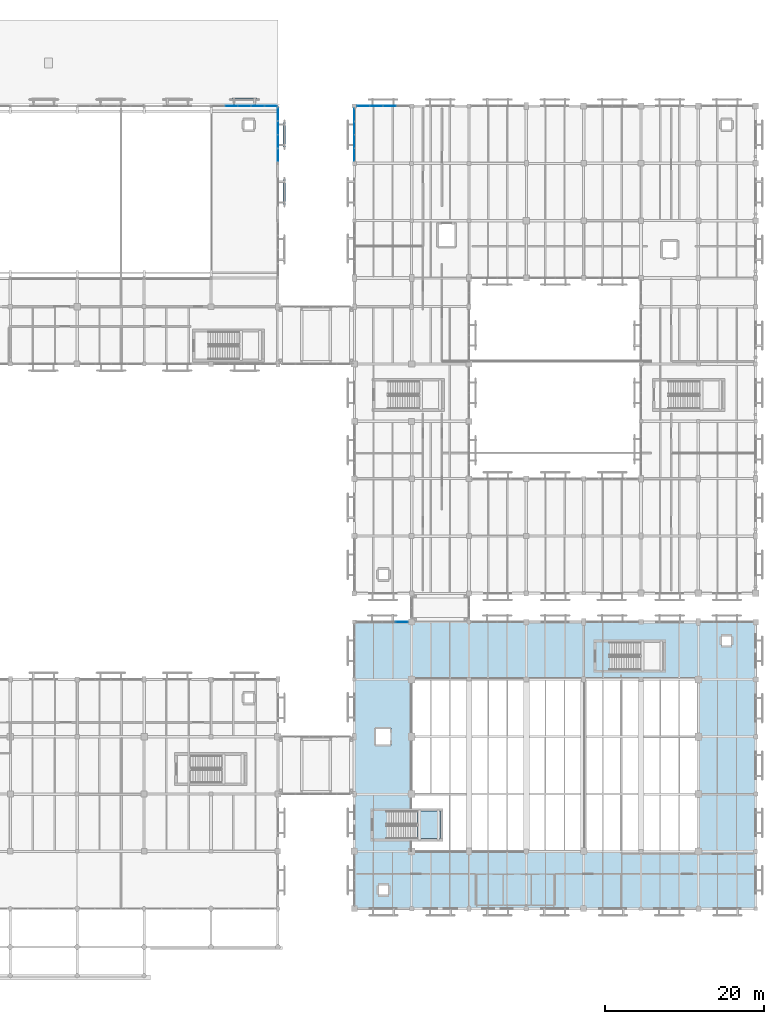
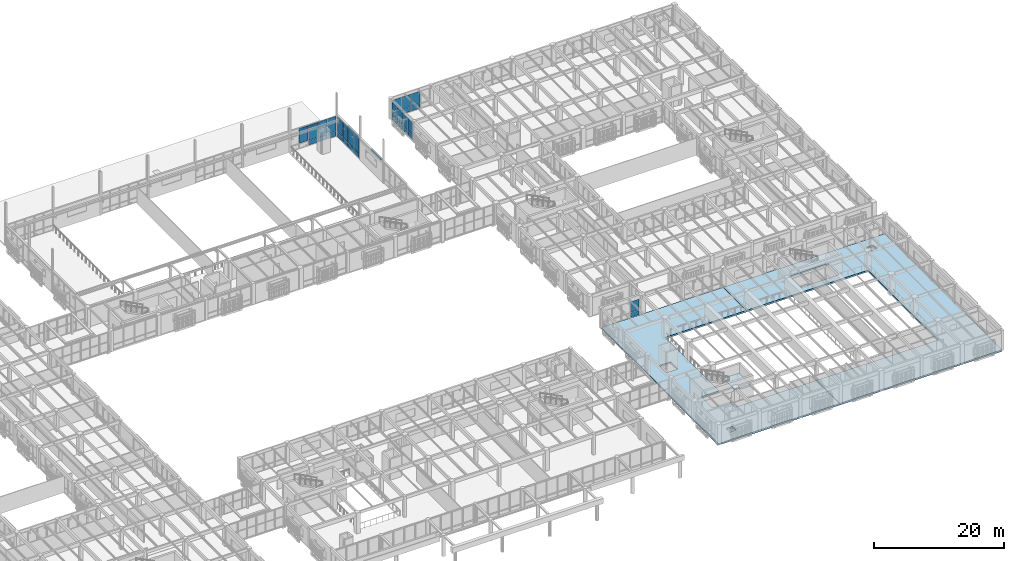
# One storey, part 124 of 170: 34 plates, 3 slabs, 6 elements without a shape of their own.
"""IFC4 building model written with IfcOpenShell, lengths in metres."""

import ifcopenshell
import ifcopenshell.guid

model = None  # the IFC model being written
_history = None  # IfcOwnerHistory: only IFC2X3 demands one
_inside = {}  # id of a spatial element -> (the spatial element, [elements in it])
_under = {}  # id of a project, library or spatial element -> (it, [spatial elements below it])
_declared = {}  # id of a project -> (the project, [libraries it declares])
_typed = {}  # id of a type object -> (the type object, [elements of that type])
_made_of = {}  # id of a material, layer set ... -> (it, [elements and type objects made of it])


def new_model(schema):
    """Start an empty IFC model of exactly this schema.

    Asked for "IFC4X3", IfcOpenShell would pick the latest addendum, in which some entities
    have other attributes; the version numbers below select the first issue.
    IFC2X3 requires an IfcOwnerHistory on every rooted entity: one is made here for all.
    """
    global model, _history
    if schema == "IFC4X3":
        model = ifcopenshell.file(schema_version=(4, 3, 0, 0))
    else:
        model = ifcopenshell.file(schema=schema)
    _inside.clear()
    _under.clear()
    _declared.clear()
    _typed.clear()
    _made_of.clear()
    _history = None
    if model.schema == "IFC2X3":
        org = make("IfcOrganization", Name="unknown")
        user = make(
            "IfcPersonAndOrganization",
            ThePerson=make("IfcPerson", FamilyName="unknown"),
            TheOrganization=org,
        )
        app = make(
            "IfcApplication",
            ApplicationDeveloper=org,
            Version="unknown",
            ApplicationFullName="unknown",
            ApplicationIdentifier="unknown",
        )
        _history = make(
            "IfcOwnerHistory",
            OwningUser=user,
            OwningApplication=app,
            ChangeAction="ADDED",
            CreationDate=0,
        )
    return model


def make(cls, **values):
    """One entity of the class cls with the attributes given. An attribute that is None is left unset."""
    return model.create_entity(
        cls, **{name: value for name, value in values.items() if value is not None}
    )


def rooted(cls, **values):
    """An entity with a GlobalId (a new one), such as an element, a storey or a relation."""
    return make(cls, GlobalId=ifcopenshell.guid.new(), OwnerHistory=_history, **values)


def si_unit(unit_type, name, prefix=None):
    """IfcSIUnit, for example si_unit("LENGTHUNIT", "METRE", prefix="MILLI")."""
    return make("IfcSIUnit", UnitType=unit_type, Prefix=prefix, Name=name)


def assignment(units):
    """IfcUnitAssignment: the units of a project."""
    return None if units is None else make("IfcUnitAssignment", Units=units)


def point(xyz):
    """IfcCartesianPoint."""
    return None if xyz is None else make("IfcCartesianPoint", Coordinates=xyz)


def direction(xyz):
    """IfcDirection."""
    return None if xyz is None else make("IfcDirection", DirectionRatios=xyz)


def frame(location, z_axis=None, x_axis=None):
    """IfcAxis2Placement3D, a coordinate frame: its origin and axes. An axis left out is left unset."""
    return make(
        "IfcAxis2Placement3D",
        Location=point(location),
        Axis=direction(z_axis),
        RefDirection=direction(x_axis),
    )


def frame_2d(location, x_axis=None):
    """IfcAxis2Placement2D, a coordinate frame in the plane: its origin and x axis."""
    return make(
        "IfcAxis2Placement2D", Location=point(location), RefDirection=direction(x_axis)
    )


def origin():
    """The frame at (0, 0, 0) with its axes left unset."""
    return frame((0.0, 0.0, 0.0))


def origin_2d():
    """The frame at (0, 0) in the plane with its x axis left unset."""
    return frame_2d((0.0, 0.0))


def place(relative_to, where):
    """IfcLocalPlacement: puts the frame where relative to a parent placement (None: the world)."""
    return make(
        "IfcLocalPlacement", PlacementRelTo=relative_to, RelativePlacement=where
    )


def context(
    kind, dimensions, precision=None, world=None, true_north=None, identifier=None
):
    """IfcGeometricRepresentationContext, for example the 3D "Model" context."""
    return make(
        "IfcGeometricRepresentationContext",
        ContextIdentifier=identifier,
        ContextType=kind,
        CoordinateSpaceDimension=dimensions,
        Precision=precision,
        WorldCoordinateSystem=world,
        TrueNorth=true_north,
    )


def subcontext(parent, identifier, kind, view, scale=None):
    """IfcGeometricRepresentationSubContext, for example "Body" below "Model"."""
    return make(
        "IfcGeometricRepresentationSubContext",
        ContextIdentifier=identifier,
        ContextType=kind,
        ParentContext=parent,
        TargetScale=scale,
        TargetView=view,
    )


def project(units=None, contexts=None):
    """IfcProject with its units and contexts."""
    return rooted(
        "IfcProject",
        Name="project",
        RepresentationContexts=contexts,
        UnitsInContext=assignment(units),
    )


def spatial(cls, under=None, at=None, **own):
    """A site, building, storey or space (cls), placed at a placement, below another one or the project."""
    s = rooted(cls, ObjectPlacement=at, **own)
    if under is not None:
        _under.setdefault(under.id(), (under, []))[1].append(s)
    return s


def polyline(points):
    """IfcPolyline through the points."""
    return make("IfcPolyline", Points=[point(p) for p in points])


def profile(cls, at=None, kind="AREA", **sizes):
    """A parametric profile (cls). Its sizes go by their IFC names, for example OverallWidth=200.0."""
    return make(cls, ProfileType=kind, Position=at, **sizes)


def rectangle(**sizes):
    """IfcRectangleProfileDef."""
    return profile("IfcRectangleProfileDef", **sizes)


def outline(outer, holes=None, kind="AREA"):
    """IfcArbitraryClosedProfileDef: a profile drawn as a closed curve; with holes, ...WithVoids."""
    if holes is None:
        return make("IfcArbitraryClosedProfileDef", ProfileType=kind, OuterCurve=outer)
    return make(
        "IfcArbitraryProfileDefWithVoids",
        ProfileType=kind,
        OuterCurve=outer,
        InnerCurves=holes,
    )


def extrude(swept, where, along, depth):
    """IfcExtrudedAreaSolid: the profile swept, set in the frame where, extruded along a direction by depth."""
    return make(
        "IfcExtrudedAreaSolid",
        SweptArea=swept,
        Position=where,
        ExtrudedDirection=direction(along),
        Depth=depth,
    )


def shape(context_of_items, identifier, shape_type, items):
    """IfcShapeRepresentation: the items that make up one representation, for example the "Body"."""
    return make(
        "IfcShapeRepresentation",
        ContextOfItems=context_of_items,
        RepresentationIdentifier=identifier,
        RepresentationType=shape_type,
        Items=items,
    )


def material(Name=None, Category=None):
    """IfcMaterial."""
    return make("IfcMaterial", Name=Name, Category=Category)


def layer(
    of_material, thickness, ventilated=None, Name=None, Category=None, Priority=None
):
    """IfcMaterialLayer: one layer of a wall or slab, of a material (None: an air gap)."""
    return make(
        "IfcMaterialLayer",
        Material=of_material,
        LayerThickness=thickness,
        IsVentilated=ventilated,
        Name=Name,
        Category=Category,
        Priority=Priority,
    )


def layer_set(layers, Name=None):
    """IfcMaterialLayerSet."""
    return make("IfcMaterialLayerSet", MaterialLayers=layers, LayerSetName=Name)


def made_of(thing, what):
    """Note that an element or type object is made of a material, layer set ...; save() writes the relation."""
    if what is not None:
        _made_of.setdefault(what.id(), (what, []))[1].append(thing)
    return thing


def type_object(cls, material=None, **own):
    """A type object (cls), such as IfcWallType, which elements share."""
    return made_of(rooted(cls, **own), material)


def element(
    cls,
    number,
    at=None,
    inside=None,
    cuts=None,
    type_object=None,
    material=None,
    context=None,
    identifier="Body",
    shape_type=None,
    held_by="IfcProductDefinitionShape",
    body=None,
    shapes=None,
    **own,
):
    """One element of the class cls, such as IfcWall. Its Tag is "e" and its number.

    at: its placement. inside: the storey or other place that contains it. cuts: it is an
    opening in that element (IfcRelVoidsElement). A single representation is given by context,
    identifier, shape_type and body (its items); several are given by shapes. held_by: the class
    of the entity that holds the representations. save() writes the other relations.
    """
    e = rooted(cls, Tag="e%d" % number, ObjectPlacement=at, **own)
    if body is not None:
        shapes = [shape(context, identifier, shape_type, body)]
    if shapes is not None:
        e.Representation = make(held_by, Representations=shapes)
    if inside is not None:
        _inside.setdefault(inside.id(), (inside, []))[1].append(e)
    if cuts is not None:
        rooted(
            "IfcRelVoidsElement", RelatingBuildingElement=cuts, RelatedOpeningElement=e
        )
    if type_object is not None:
        _typed.setdefault(type_object.id(), (type_object, []))[1].append(e)
    return made_of(e, material)


def aggregate(whole, parts):
    """IfcRelAggregates: a whole, such as a stair, and the parts it consists of."""
    return rooted("IfcRelAggregates", RelatingObject=whole, RelatedObjects=parts)


def save(model, path):
    """Write the relations noted so far, then the file.

    IfcRelAggregates (storeys below a building ...), IfcRelContainedInSpatialStructure (elements
    in a storey), IfcRelDefinesByType, IfcRelAssociatesMaterial and IfcRelDeclares: one each for
    every whole, place, type object, material and project.
    """
    for whole, parts in _under.values():
        aggregate(whole, parts)
    for where, things in _inside.values():
        rooted(
            "IfcRelContainedInSpatialStructure",
            RelatedElements=things,
            RelatingStructure=where,
        )
    for kind, things in _typed.values():
        rooted("IfcRelDefinesByType", RelatedObjects=things, RelatingType=kind)
    for what, things in _made_of.values():
        rooted("IfcRelAssociatesMaterial", RelatedObjects=things, RelatingMaterial=what)
    for by, libraries in _declared.values():
        rooted("IfcRelDeclares", RelatingContext=by, RelatedDefinitions=libraries)
    model.write(path)


model = new_model("IFC4")

# Units and contexts
model_context = context("Model", 3, precision=1e-05, world=origin(), true_north=direction((0.0, 1.0)))
body_context = subcontext(model_context, "Body", "Model", "MODEL_VIEW")
ifc_project = project(units=[si_unit("LENGTHUNIT", "METRE"), si_unit("AREAUNIT", "SQUARE_METRE"), si_unit("VOLUMEUNIT", "CUBIC_METRE"), si_unit("PLANEANGLEUNIT", "RADIAN"), si_unit("MASSUNIT", "GRAM", prefix="KILO")], contexts=[model_context])

# Site, building, storey
site_placement = place(None, origin())
site = spatial("IfcSite", under=ifc_project, at=site_placement, CompositionType="ELEMENT")
building_placement = place(site_placement, origin())
building = spatial("IfcBuilding", under=site, at=building_placement, Name="Mazaris Harbour Polytechnic", CompositionType="ELEMENT")
storey_placement = place(building_placement, frame((0.0, 0.0, 5.39990234375)))
storey = spatial("IfcBuildingStorey", under=building, at=storey_placement, Name="L01", CompositionType="ELEMENT", Elevation=5.39990234375)

# Curtain wall, plates
ifc_material_1 = material(Name="Anodised Bronze Aluminium and Low-E Glass", Category="aluminium")
ifc_layer_1 = layer(ifc_material_1, 0.14990234375, Name="Anodised Bronze Aluminium and Low-E Glass")
ifc_layer_set_1 = layer_set([ifc_layer_1], Name="Anodised Bronze Aluminium and Low-E Glass")
curtain_wall_type_1 = type_object("IfcCurtainWallType", Name="Workshop Clerestory Curtain Wall", PredefinedType="NOTDEFINED", material=ifc_layer_set_1)
curtain_wall_1_placement = place(storey_placement, origin())
curtain_wall_1 = element("IfcCurtainWall", 1, at=curtain_wall_1_placement, inside=storey, type_object=curtain_wall_type_1, Name="V1 L01 Curtain Wall 20", PredefinedType="NOTDEFINED")
ifc_material_2 = material(Name="Acoustic Low-E Double Glazing", Category="glass")
ifc_layer_2 = layer(ifc_material_2, 0.033935546875, Name="Acoustic Low-E Double Glazing")
ifc_layer_set_2 = layer_set([ifc_layer_2], Name="Acoustic Low-E Double Glazing")
plate_type_1 = type_object("IfcPlateType", Name="Acoustic Laminated Glass Panel 34", PredefinedType="CURTAIN_PANEL", material=ifc_layer_set_2)
plate_1_placement = place(storey_placement, frame((106.923095703125, 108.0, 0.989990234375), z_axis=(0.0, 0.0, 1.0), x_axis=(1.0, 0.0, 0.0)))
plate_1 = element("IfcPlate", 2, at=plate_1_placement, type_object=plate_type_1, Name="CW-04 panel 2.2", PredefinedType="CURTAIN_PANEL", context=body_context, shape_type="SweptSolid", body=[
    extrude(rectangle(XDim=1.576904296875, YDim=0.033935546875, at=origin_2d()), origin(), (0.0, 0.0, 1.0), 2.85009765625),
])
plate_2_placement = place(storey_placement, frame((108.60009765625, 108.0, 0.080078125), z_axis=(0.0, 0.0, 1.0), x_axis=(1.0, 0.0, 0.0)))
plate_2 = element("IfcPlate", 3, at=plate_2_placement, type_object=plate_type_1, Name="CW-04 panel 3.1", PredefinedType="CURTAIN_PANEL", context=body_context, shape_type="SweptSolid", body=[
    extrude(rectangle(XDim=1.576904296875, YDim=0.033935546875, at=origin_2d()), origin(), (0.0, 0.0, 1.0), 0.830078125),
])
plate_3_placement = place(storey_placement, frame((108.60009765625, 108.0, 0.989990234375), z_axis=(0.0, 0.0, 1.0), x_axis=(1.0, 0.0, 0.0)))
plate_3 = element("IfcPlate", 4, at=plate_3_placement, type_object=plate_type_1, Name="CW-04 panel 3.2", PredefinedType="CURTAIN_PANEL", context=body_context, shape_type="SweptSolid", body=[
    extrude(rectangle(XDim=1.576904296875, YDim=0.033935546875, at=origin_2d()), origin(), (0.0, 0.0, 1.0), 2.85009765625),
])
plate_4_placement = place(storey_placement, frame((110.27685546875, 108.0, 0.080078125), z_axis=(0.0, 0.0, 1.0), x_axis=(1.0, 0.0, 0.0)))
plate_4 = element("IfcPlate", 5, at=plate_4_placement, type_object=plate_type_1, Name="CW-04 panel 4.1", PredefinedType="CURTAIN_PANEL", context=body_context, shape_type="SweptSolid", body=[
    extrude(rectangle(XDim=1.576904296875, YDim=0.033935546875, at=origin_2d()), origin(), (0.0, 0.0, 1.0), 0.830078125),
])
plate_5_placement = place(storey_placement, frame((110.27685546875, 108.0, 0.989990234375), z_axis=(0.0, 0.0, 1.0), x_axis=(1.0, 0.0, 0.0)))
plate_5 = element("IfcPlate", 6, at=plate_5_placement, type_object=plate_type_1, Name="CW-04 panel 4.2", PredefinedType="CURTAIN_PANEL", context=body_context, shape_type="SweptSolid", body=[
    extrude(rectangle(XDim=1.576904296875, YDim=0.033935546875, at=origin_2d()), origin(), (0.0, 0.0, 1.0), 2.85009765625),
])
plate_6_placement = place(storey_placement, frame((111.9287109375, 108.0, 0.080078125), z_axis=(0.0, 0.0, 1.0), x_axis=(1.0, 0.0, 0.0)))
plate_6 = element("IfcPlate", 7, at=plate_6_placement, type_object=plate_type_1, Name="CW-04 panel 5.1", PredefinedType="CURTAIN_PANEL", context=body_context, shape_type="SweptSolid", body=[
    extrude(rectangle(XDim=1.52685546875, YDim=0.033935546875, at=origin_2d()), origin(), (0.0, 0.0, 1.0), 0.830078125),
])
plate_7_placement = place(storey_placement, frame((111.9287109375, 108.0, 0.989990234375), z_axis=(0.0, 0.0, 1.0), x_axis=(1.0, 0.0, 0.0)))
plate_7 = element("IfcPlate", 8, at=plate_7_placement, type_object=plate_type_1, Name="CW-04 panel 5.2", PredefinedType="CURTAIN_PANEL", context=body_context, shape_type="SweptSolid", body=[
    extrude(rectangle(XDim=1.52685546875, YDim=0.033935546875, at=origin_2d()), origin(), (0.0, 0.0, 1.0), 2.85009765625),
])
aggregate(curtain_wall_1, [plate_1, plate_2, plate_3, plate_4, plate_5, plate_6, plate_7])

curtain_wall_2_placement = place(storey_placement, origin())
curtain_wall_2 = element("IfcCurtainWall", 9, at=curtain_wall_2_placement, inside=storey, type_object=curtain_wall_type_1, Name="V1 L01 Curtain Wall 24", PredefinedType="NOTDEFINED")
plate_8_placement = place(storey_placement, frame((112.800048828125, 106.954833984375, 0.080078125), z_axis=(0.0, 0.0, 1.0), x_axis=(0.0, -1.0, 0.0)))
plate_8 = element("IfcPlate", 10, at=plate_8_placement, type_object=plate_type_1, Name="CW-04 panel 1.1", PredefinedType="CURTAIN_PANEL", context=body_context, shape_type="SweptSolid", body=[
    extrude(rectangle(XDim=1.576416015625, YDim=0.033935546875, at=origin_2d()), origin(), (0.0, 0.0, 1.0), 0.830078125),
])
plate_9_placement = place(storey_placement, frame((112.800048828125, 106.954833984375, 0.989990234375), z_axis=(0.0, 0.0, 1.0), x_axis=(0.0, -1.0, 0.0)))
plate_9 = element("IfcPlate", 11, at=plate_9_placement, type_object=plate_type_1, Name="CW-04 panel 1.2", PredefinedType="CURTAIN_PANEL", context=body_context, shape_type="SweptSolid", body=[
    extrude(rectangle(XDim=1.576416015625, YDim=0.033935546875, at=origin_2d()), origin(), (0.0, 0.0, 1.0), 2.85009765625),
])
plate_10_placement = place(storey_placement, frame((112.800048828125, 105.253173828125, 0.080078125), z_axis=(0.0, 0.0, 1.0), x_axis=(0.0, -1.0, 0.0)))
plate_10 = element("IfcPlate", 12, at=plate_10_placement, type_object=plate_type_1, Name="CW-04 panel 2.1", PredefinedType="CURTAIN_PANEL", context=body_context, shape_type="SweptSolid", body=[
    extrude(rectangle(XDim=1.62646484375, YDim=0.033935546875, at=origin_2d()), origin(), (0.0, 0.0, 1.0), 0.830078125),
])
plate_11_placement = place(storey_placement, frame((112.800048828125, 105.253173828125, 0.989990234375), z_axis=(0.0, 0.0, 1.0), x_axis=(0.0, -1.0, 0.0)))
plate_11 = element("IfcPlate", 13, at=plate_11_placement, type_object=plate_type_1, Name="CW-04 panel 2.2", PredefinedType="CURTAIN_PANEL", context=body_context, shape_type="SweptSolid", body=[
    extrude(rectangle(XDim=1.62646484375, YDim=0.033935546875, at=origin_2d()), origin(), (0.0, 0.0, 1.0), 2.85009765625),
])
plate_12_placement = place(storey_placement, frame((112.800048828125, 103.52685546875, 0.080078125), z_axis=(0.0, 0.0, 1.0), x_axis=(0.0, -1.0, 0.0)))
plate_12 = element("IfcPlate", 14, at=plate_12_placement, type_object=plate_type_1, Name="CW-04 panel 3.1", PredefinedType="CURTAIN_PANEL", context=body_context, shape_type="SweptSolid", body=[
    extrude(rectangle(XDim=1.62646484375, YDim=0.033935546875, at=origin_2d()), origin(), (0.0, 0.0, 1.0), 0.830078125),
])
plate_13_placement = place(storey_placement, frame((112.800048828125, 103.52685546875, 0.989990234375), z_axis=(0.0, 0.0, 1.0), x_axis=(0.0, -1.0, 0.0)))
plate_13 = element("IfcPlate", 15, at=plate_13_placement, type_object=plate_type_1, Name="CW-04 panel 3.2", PredefinedType="CURTAIN_PANEL", context=body_context, shape_type="SweptSolid", body=[
    extrude(rectangle(XDim=1.62646484375, YDim=0.033935546875, at=origin_2d()), origin(), (0.0, 0.0, 1.0), 2.85009765625),
])
plate_14_placement = place(storey_placement, frame((112.800048828125, 101.8251953125, 0.080078125), z_axis=(0.0, 0.0, 1.0), x_axis=(0.0, -1.0, 0.0)))
plate_14 = element("IfcPlate", 16, at=plate_14_placement, type_object=plate_type_1, Name="CW-04 panel 4.1", PredefinedType="CURTAIN_PANEL", context=body_context, shape_type="SweptSolid", body=[
    extrude(rectangle(XDim=1.576416015625, YDim=0.033935546875, at=origin_2d()), origin(), (0.0, 0.0, 1.0), 0.830078125),
])
plate_15_placement = place(storey_placement, frame((112.800048828125, 101.8251953125, 0.989990234375), z_axis=(0.0, 0.0, 1.0), x_axis=(0.0, -1.0, 0.0)))
plate_15 = element("IfcPlate", 17, at=plate_15_placement, type_object=plate_type_1, Name="CW-04 panel 4.2", PredefinedType="CURTAIN_PANEL", context=body_context, shape_type="SweptSolid", body=[
    extrude(rectangle(XDim=1.576416015625, YDim=0.033935546875, at=origin_2d()), origin(), (0.0, 0.0, 1.0), 2.85009765625),
])
aggregate(curtain_wall_2, [plate_8, plate_9, plate_10, plate_11, plate_12, plate_13, plate_14, plate_15])

ifc_material_3 = material(Name="Anodised Bronze Aluminium and Low-E Glass", Category="aluminium")
ifc_layer_3 = layer(ifc_material_3, 0.159912109375, Name="Anodised Bronze Aluminium and Low-E Glass")
ifc_layer_set_3 = layer_set([ifc_layer_3], Name="Anodised Bronze Aluminium and Low-E Glass")
curtain_wall_type_2 = type_object("IfcCurtainWallType", Name="Cloister Court Curtain Wall", PredefinedType="NOTDEFINED", material=ifc_layer_set_3)
curtain_wall_3_placement = place(storey_placement, origin())
curtain_wall_3 = element("IfcCurtainWall", 18, at=curtain_wall_3_placement, inside=storey, type_object=curtain_wall_type_2, Name="V2 L01 Curtain Wall 43", PredefinedType="NOTDEFINED")
ifc_material_4 = material(Name="Low-E Double Glazing", Category="glass")
ifc_layer_4 = layer(ifc_material_4, 0.028076171875, Name="Low-E Double Glazing")
ifc_layer_set_4 = layer_set([ifc_layer_4], Name="Low-E Double Glazing")
plate_type_2 = type_object("IfcPlateType", Name="Low-E Vision Glass Panel 28", PredefinedType="CURTAIN_PANEL", material=ifc_layer_set_4)
plate_16_placement = place(storey_placement, frame((128.3671875, 43.199951171875, 0.080078125), z_axis=(0.0, 0.0, 1.0), x_axis=(1.0, 0.0, 0.0)))
plate_16 = element("IfcPlate", 19, at=plate_16_placement, type_object=plate_type_2, Name="CW-02 panel 4.1", PredefinedType="CURTAIN_PANEL", context=body_context, shape_type="SweptSolid", body=[
    extrude(rectangle(XDim=1.521484375, YDim=0.028076171875, at=origin_2d()), origin(), (0.0, 0.0, 1.0), 0.830078125),
])
plate_17_placement = place(storey_placement, frame((128.3671875, 43.199951171875, 0.990234375), z_axis=(0.0, 0.0, 1.0), x_axis=(1.0, 0.0, 0.0)))
plate_17 = element("IfcPlate", 20, at=plate_17_placement, type_object=plate_type_2, Name="CW-02 panel 4.2", PredefinedType="CURTAIN_PANEL", context=body_context, shape_type="SweptSolid", body=[
    extrude(rectangle(XDim=1.521484375, YDim=0.028076171875, at=origin_2d()), origin(), (0.0, 0.0, 1.0), 2.030029296875),
])
aggregate(curtain_wall_3, [plate_16, plate_17])

# Plates
ifc_material_5 = material(Name="Perforated Earth-Coloured Terracotta Block", Category="masonry")
ifc_layer_5 = layer(ifc_material_5, 0.25, Name="Perforated Earth-Coloured Terracotta Block")
ifc_layer_set_5 = layer_set([ifc_layer_5], Name="Perforated Earth-Coloured Terracotta Block")
plate_type_3 = type_object("IfcPlateType", Name="Perforated Terracotta Screen 3060x250x320", PredefinedType="USERDEFINED", material=ifc_layer_set_5)
for number, where, z_axis, x_axis, name in (
    (21, (108.60009765625, 108.820068359375, 2.7099609375), (0.0, 0.0, 1.0), (1.0, 0.0, 0.0), "V1 L01 Terracotta Screen Crest Plaque 17"),
    (22, (113.6201171875, 97.18994140625, 2.7099609375), (0.0, 0.0, 1.0), (0.0, -1.0, 0.0), "V1 L01 Terracotta Screen Crest Plaque 22"),
    (23, (113.6201171875, 104.389892578125, 2.7099609375), (0.0, 0.0, 1.0), (0.0, -1.0, 0.0), "V1 L01 Terracotta Screen Crest Plaque 23"),
):
    element("IfcPlate", number, at=place(storey_placement, frame(where, z_axis=z_axis, x_axis=x_axis)), inside=storey, type_object=plate_type_3, Name=name, ObjectType="SOLAR SCREEN", PredefinedType="USERDEFINED", context=body_context, shape_type="SweptSolid", body=[
        extrude(rectangle(XDim=3.06005859375, YDim=0.25, at=origin_2d()), origin(), (0.0, 0.0, 1.0), 0.320068359375),
    ])

# Slabs
ifc_material_6 = material(Name="Concrete C35/45", Category="concrete")
ifc_layer_6 = layer(ifc_material_6, 0.300048828125, Name="Concrete C35/45")
ifc_layer_set_6 = layer_set([ifc_layer_6], Name="Concrete C35/45")
slab_type_1 = type_object("IfcSlabType", Name="RC Podium Slab 300", PredefinedType="FLOOR", material=ifc_layer_set_6)
slab_1_placement = place(storey_placement, frame((0.0, 0.0, -0.2998046875)))
element("IfcSlab", 24, at=slab_1_placement, inside=storey, type_object=slab_type_1, Name="V2 L01 Floor Slab", PredefinedType="FLOOR", context=body_context, shape_type="SweptSolid", body=[
    extrude(outline(polyline([(122.39990234375, 7.199951171875), (122.39990234375, 43.199951171875), (144.0, 43.199951171875), (144.0, 36.0), (129.60009765625, 36.0), (129.60009765625, 19.449951171875), (126.47509765625, 19.449951171875), (126.47509765625, 16.0), (129.60009765625, 16.0), (129.60009765625, 14.39990234375), (144.0, 14.39990234375), (144.0, 7.199951171875), (122.39990234375, 7.199951171875)]), holes=[polyline([(125.0, 29.89990234375), (125.0, 27.699951171875), (127.0, 27.699951171875), (127.0, 29.89990234375), (125.0, 29.89990234375)]), polyline([(125.5, 9.0), (126.6201171875, 9.0), (126.6201171875, 10.1201171875), (125.5, 10.1201171875), (125.5, 9.0)])]), origin(), (0.0, 0.0, 1.0), 0.2998046875),
])
slab_2_placement = place(storey_placement, frame((0.0, 0.0, -0.2998046875)))
element("IfcSlab", 25, at=slab_2_placement, inside=storey, type_object=slab_type_1, Name="V2 L01 Floor Slab", PredefinedType="FLOOR", context=body_context, shape_type="SweptSolid", body=[
    extrude(outline(polyline([(172.800048828125, 7.199951171875), (144.0, 7.199951171875), (144.0, 14.39990234375), (151.199951171875, 14.39990234375), (165.60009765625, 14.39990234375), (165.60009765625, 36.0), (151.199951171875, 36.0), (144.0, 36.0), (144.0, 43.199951171875), (172.800048828125, 43.199951171875), (172.800048828125, 7.199951171875)]), holes=[polyline([(154.47509765625, 37.199951171875), (161.199951171875, 37.199951171875), (161.199951171875, 40.64990234375), (154.47509765625, 40.64990234375), (154.47509765625, 37.199951171875)]), polyline([(168.580078125, 41.39990234375), (168.580078125, 40.280029296875), (169.699951171875, 40.280029296875), (169.699951171875, 41.39990234375), (168.580078125, 41.39990234375)])]), origin(), (0.0, 0.0, 1.0), 0.2998046875),
])

# Stair, slab
ifc_material_7 = material(Name="Concrete C40/50", Category="concrete")
stair_type = type_object("IfcStairType", Name="Core Exit Stair H4200", PredefinedType="HALF_TURN_STAIR", material=ifc_material_7)
stair_placement = place(storey_placement, origin())
stair = element("IfcStair", 26, at=stair_placement, inside=storey, type_object=stair_type, Name="L01 ST03", PredefinedType="HALF_TURN_STAIR")
ifc_material_8 = material(Name="Concrete C40/50", Category="concrete")
ifc_layer_7 = layer(ifc_material_8, 0.199951171875, Name="Concrete C40/50")
ifc_layer_set_7 = layer_set([ifc_layer_7], Name="Concrete C40/50")
slab_type_2 = type_object("IfcSlabType", Name="RC Stair Landing 200", PredefinedType="LANDING", material=ifc_layer_set_7)
slab_3_placement = place(storey_placement, frame((0.0, 0.0, 1.900146484375)))
slab_3 = element("IfcSlab", 27, at=slab_3_placement, type_object=slab_type_2, Name="ST03 landing 1", PredefinedType="LANDING", context=body_context, shape_type="SweptSolid", body=[
    extrude(outline(polyline([(130.35009765625, 16.0), (133.199951171875, 16.0), (133.199951171875, 19.449951171875), (130.35009765625, 19.449951171875), (130.35009765625, 16.0)])), origin(), (0.0, 0.0, 1.0), 0.199951171875),
])
aggregate(stair, [slab_3])

# Curtain wall, plates
ifc_material_9 = material(Name="Anodised Bronze Aluminium and Low-E Glass", Category="aluminium")
ifc_layer_8 = layer(ifc_material_9, 0.169921875, Name="Anodised Bronze Aluminium and Low-E Glass")
ifc_layer_set_8 = layer_set([ifc_layer_8], Name="Anodised Bronze Aluminium and Low-E Glass")
curtain_wall_type_3 = type_object("IfcCurtainWallType", Name="Studio North-Light Curtain Wall", PredefinedType="NOTDEFINED", material=ifc_layer_set_8)
curtain_wall_4_placement = place(storey_placement, origin())
curtain_wall_4 = element("IfcCurtainWall", 28, at=curtain_wall_4_placement, inside=storey, type_object=curtain_wall_type_3, Name="V5 L01 Curtain Wall 205", PredefinedType="NOTDEFINED")
ifc_material_10 = material(Name="Solar-Control Low-E Glazing", Category="glass")
ifc_layer_9 = layer(ifc_material_10, 0.031982421875, Name="Solar-Control Low-E Glazing")
ifc_layer_set_9 = layer_set([ifc_layer_9], Name="Solar-Control Low-E Glazing")
plate_type_4 = type_object("IfcPlateType", Name="Solar Control Studio Glass Panel 32", PredefinedType="CURTAIN_PANEL", material=ifc_layer_set_9)
plate_18_placement = place(storey_placement, frame((123.520263671875, 108.0, 0.080078125), z_axis=(0.0, 0.0, 1.0), x_axis=(1.0, 0.0, 0.0)))
plate_18 = element("IfcPlate", 29, at=plate_18_placement, type_object=plate_type_4, Name="CW-03 panel 1.1", PredefinedType="CURTAIN_PANEL", context=body_context, shape_type="SweptSolid", body=[
    extrude(rectangle(XDim=1.54638671875, YDim=0.031982421875, at=origin_2d()), origin(), (0.0, 0.0, 1.0), 0.830078125),
])
plate_19_placement = place(storey_placement, frame((123.520263671875, 108.0, 0.990234375), z_axis=(0.0, 0.0, 1.0), x_axis=(1.0, 0.0, 0.0)))
plate_19 = element("IfcPlate", 30, at=plate_19_placement, type_object=plate_type_4, Name="CW-03 panel 1.2", PredefinedType="CURTAIN_PANEL", context=body_context, shape_type="SweptSolid", body=[
    extrude(rectangle(XDim=1.54638671875, YDim=0.031982421875, at=origin_2d()), origin(), (0.0, 0.0, 1.0), 2.320068359375),
])
plate_20_placement = place(storey_placement, frame((125.166748046875, 108.0, 0.080078125), z_axis=(0.0, 0.0, 1.0), x_axis=(1.0, 0.0, 0.0)))
plate_20 = element("IfcPlate", 31, at=plate_20_placement, type_object=plate_type_4, Name="CW-03 panel 2.1", PredefinedType="CURTAIN_PANEL", context=body_context, shape_type="SweptSolid", body=[
    extrude(rectangle(XDim=1.58642578125, YDim=0.031982421875, at=origin_2d()), origin(), (0.0, 0.0, 1.0), 0.830078125),
])
plate_21_placement = place(storey_placement, frame((125.166748046875, 108.0, 0.990234375), z_axis=(0.0, 0.0, 1.0), x_axis=(1.0, 0.0, 0.0)))
plate_21 = element("IfcPlate", 32, at=plate_21_placement, type_object=plate_type_4, Name="CW-03 panel 2.2", PredefinedType="CURTAIN_PANEL", context=body_context, shape_type="SweptSolid", body=[
    extrude(rectangle(XDim=1.58642578125, YDim=0.031982421875, at=origin_2d()), origin(), (0.0, 0.0, 1.0), 2.320068359375),
])
plate_22_placement = place(storey_placement, frame((126.833251953125, 108.0, 0.080078125), z_axis=(0.0, 0.0, 1.0), x_axis=(1.0, 0.0, 0.0)))
plate_22 = element("IfcPlate", 33, at=plate_22_placement, type_object=plate_type_4, Name="CW-03 panel 3.1", PredefinedType="CURTAIN_PANEL", context=body_context, shape_type="SweptSolid", body=[
    extrude(rectangle(XDim=1.58642578125, YDim=0.031982421875, at=origin_2d()), origin(), (0.0, 0.0, 1.0), 0.830078125),
])
plate_23_placement = place(storey_placement, frame((126.833251953125, 108.0, 0.990234375), z_axis=(0.0, 0.0, 1.0), x_axis=(1.0, 0.0, 0.0)))
plate_23 = element("IfcPlate", 34, at=plate_23_placement, type_object=plate_type_4, Name="CW-03 panel 3.2", PredefinedType="CURTAIN_PANEL", context=body_context, shape_type="SweptSolid", body=[
    extrude(rectangle(XDim=1.58642578125, YDim=0.031982421875, at=origin_2d()), origin(), (0.0, 0.0, 1.0), 2.320068359375),
])
aggregate(curtain_wall_4, [plate_18, plate_19, plate_20, plate_21, plate_22, plate_23])

curtain_wall_5_placement = place(storey_placement, origin())
curtain_wall_5 = element("IfcCurtainWall", 35, at=curtain_wall_5_placement, inside=storey, type_object=curtain_wall_type_3, Name="V5 L01 Curtain Wall 212", PredefinedType="NOTDEFINED")
plate_24_placement = place(storey_placement, frame((122.39990234375, 101.8984375, 0.080078125), z_axis=(0.0, 0.0, 1.0), x_axis=(0.0, 1.0, 0.0)))
plate_24 = element("IfcPlate", 36, at=plate_24_placement, type_object=plate_type_4, Name="CW-03 panel 1.1", PredefinedType="CURTAIN_PANEL", context=body_context, shape_type="SweptSolid", body=[
    extrude(rectangle(XDim=1.552734375, YDim=0.031982421875, at=origin_2d()), origin(), (0.0, 0.0, 1.0), 0.830078125),
])
plate_25_placement = place(storey_placement, frame((122.39990234375, 101.8984375, 0.990234375), z_axis=(0.0, 0.0, 1.0), x_axis=(0.0, 1.0, 0.0)))
plate_25 = element("IfcPlate", 37, at=plate_25_placement, type_object=plate_type_4, Name="CW-03 panel 1.2", PredefinedType="CURTAIN_PANEL", context=body_context, shape_type="SweptSolid", body=[
    extrude(rectangle(XDim=1.552734375, YDim=0.031982421875, at=origin_2d()), origin(), (0.0, 0.0, 1.0), 2.320068359375),
])
plate_26_placement = place(storey_placement, frame((122.39990234375, 103.551025390625, 0.080078125), z_axis=(0.0, 0.0, 1.0), x_axis=(0.0, 1.0, 0.0)))
plate_26 = element("IfcPlate", 38, at=plate_26_placement, type_object=plate_type_4, Name="CW-03 panel 2.1", PredefinedType="CURTAIN_PANEL", context=body_context, shape_type="SweptSolid", body=[
    extrude(rectangle(XDim=1.5927734375, YDim=0.031982421875, at=origin_2d()), origin(), (0.0, 0.0, 1.0), 0.830078125),
])
plate_27_placement = place(storey_placement, frame((122.39990234375, 103.551025390625, 0.990234375), z_axis=(0.0, 0.0, 1.0), x_axis=(0.0, 1.0, 0.0)))
plate_27 = element("IfcPlate", 39, at=plate_27_placement, type_object=plate_type_4, Name="CW-03 panel 2.2", PredefinedType="CURTAIN_PANEL", context=body_context, shape_type="SweptSolid", body=[
    extrude(rectangle(XDim=1.5927734375, YDim=0.031982421875, at=origin_2d()), origin(), (0.0, 0.0, 1.0), 2.320068359375),
])
plate_28_placement = place(storey_placement, frame((122.39990234375, 105.223876953125, 0.080078125), z_axis=(0.0, 0.0, 1.0), x_axis=(0.0, 1.0, 0.0)))
plate_28 = element("IfcPlate", 40, at=plate_28_placement, type_object=plate_type_4, Name="CW-03 panel 3.1", PredefinedType="CURTAIN_PANEL", context=body_context, shape_type="SweptSolid", body=[
    extrude(rectangle(XDim=1.5927734375, YDim=0.031982421875, at=origin_2d()), origin(), (0.0, 0.0, 1.0), 0.830078125),
])
plate_29_placement = place(storey_placement, frame((122.39990234375, 105.223876953125, 0.990234375), z_axis=(0.0, 0.0, 1.0), x_axis=(0.0, 1.0, 0.0)))
plate_29 = element("IfcPlate", 41, at=plate_29_placement, type_object=plate_type_4, Name="CW-03 panel 3.2", PredefinedType="CURTAIN_PANEL", context=body_context, shape_type="SweptSolid", body=[
    extrude(rectangle(XDim=1.5927734375, YDim=0.031982421875, at=origin_2d()), origin(), (0.0, 0.0, 1.0), 2.320068359375),
])
plate_30_placement = place(storey_placement, frame((122.39990234375, 106.876708984375, 0.080078125), z_axis=(0.0, 0.0, 1.0), x_axis=(0.0, 1.0, 0.0)))
plate_30 = element("IfcPlate", 42, at=plate_30_placement, type_object=plate_type_4, Name="CW-03 panel 4.1", PredefinedType="CURTAIN_PANEL", context=body_context, shape_type="SweptSolid", body=[
    extrude(rectangle(XDim=1.552734375, YDim=0.031982421875, at=origin_2d()), origin(), (0.0, 0.0, 1.0), 0.830078125),
])
plate_31_placement = place(storey_placement, frame((122.39990234375, 106.876708984375, 0.990234375), z_axis=(0.0, 0.0, 1.0), x_axis=(0.0, 1.0, 0.0)))
plate_31 = element("IfcPlate", 43, at=plate_31_placement, type_object=plate_type_4, Name="CW-03 panel 4.2", PredefinedType="CURTAIN_PANEL", context=body_context, shape_type="SweptSolid", body=[
    extrude(rectangle(XDim=1.552734375, YDim=0.031982421875, at=origin_2d()), origin(), (0.0, 0.0, 1.0), 2.320068359375),
])
aggregate(curtain_wall_5, [plate_24, plate_25, plate_26, plate_27, plate_28, plate_29, plate_30, plate_31])

save(model, "model.ifc")
